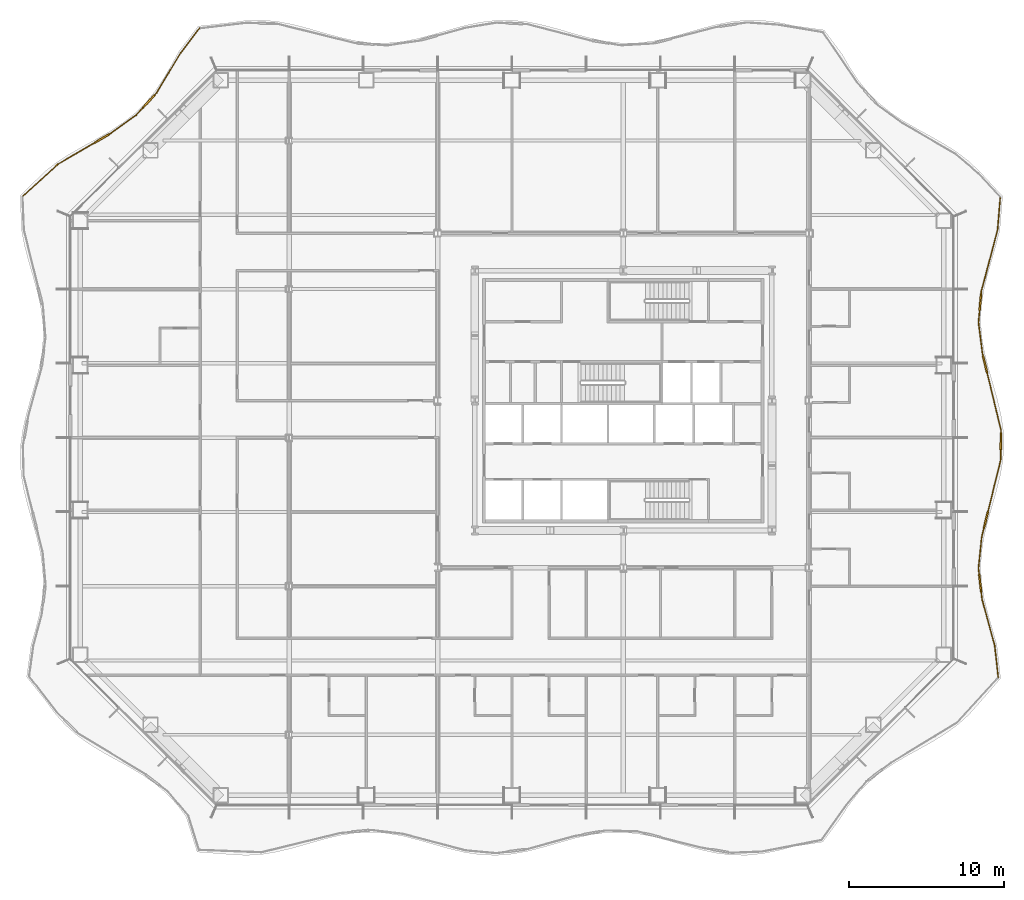
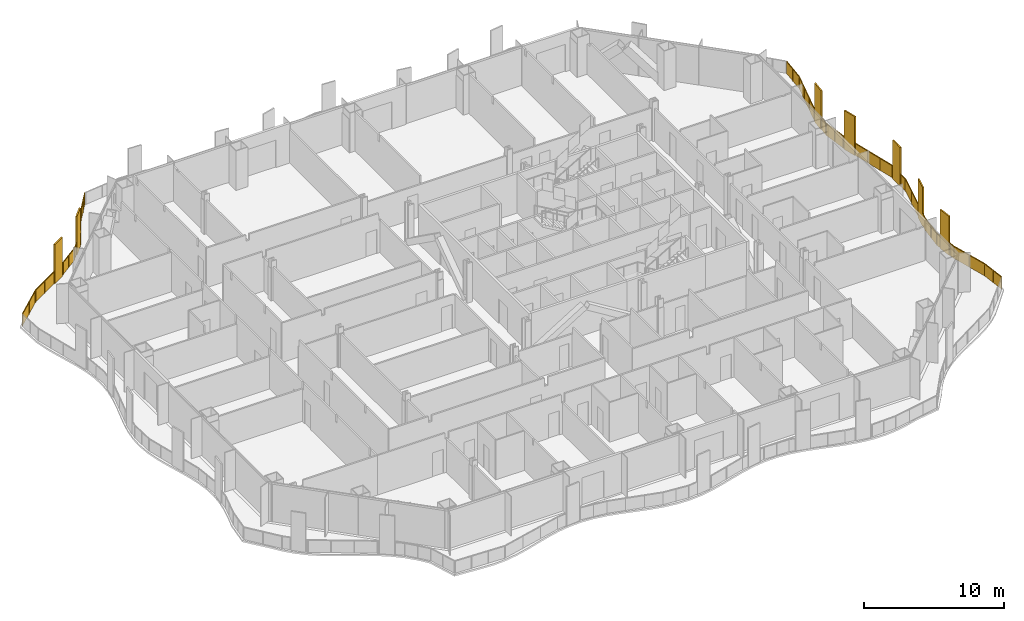
# One storey, part 19 of 21: 2 railings.
"""IFC4 building model written with IfcOpenShell, lengths in metres."""

from ifc_helpers import new_model, si_unit, direction, frame, origin, origin_2d, place, context, subcontext, project, spatial, polyline, rectangle, outline, extrude, material, type_object, element, save


model = new_model("IFC4")

# Units and contexts
model_context = context("Model", 3, precision=1e-05, world=origin(), true_north=direction((0.0, 1.0)))
body_context = subcontext(model_context, "Body", "Model", "MODEL_VIEW")
ifc_project = project(units=[si_unit("LENGTHUNIT", "METRE"), si_unit("AREAUNIT", "SQUARE_METRE"), si_unit("VOLUMEUNIT", "CUBIC_METRE"), si_unit("PLANEANGLEUNIT", "RADIAN"), si_unit("MASSUNIT", "GRAM", prefix="KILO")], contexts=[model_context])

# Site, building, storey
site_placement = place(None, origin())
site = spatial("IfcSite", under=ifc_project, at=site_placement, CompositionType="ELEMENT")
building_placement = place(site_placement, origin())
building = spatial("IfcBuilding", under=site, at=building_placement, Name="Cairn Pilgrim Tower", CompositionType="ELEMENT")
storey_placement = place(building_placement, frame((0.0, 0.0, 47.39990234375)))
storey = spatial("IfcBuildingStorey", under=building, at=storey_placement, Name="L09", CompositionType="ELEMENT", Elevation=47.39990234375)

# Railings
ifc_material = material(Name="Bronze anodised aluminium rail, posts and fin screens with laminated glass infill", Category="aluminium")
railing_type = type_object("IfcRailingType", Name="BALCONY GUARD WITH FIN SCREENS", PredefinedType="GUARDRAIL", material=ifc_material)
railing_1_placement = place(storey_placement, frame((31.428466796875, -15.502197265625, 0.0)))
element("IfcRailing", 1, at=railing_1_placement, inside=storey, type_object=railing_type, Name="Balcony guard BGF-3 with fin screens", PredefinedType="GUARDRAIL", context=body_context, shape_type="SweptSolid", body=[
    extrude(rectangle(XDim=0.050048828125, YDim=0.050048828125, at=origin_2d()), frame((0.0, 0.0, 1.0751953125), z_axis=(-0.111049944027, 0.993814826782, 0.0), x_axis=(-0.993814826782, -0.111049944027, 0.0)), (0.0, 0.0, 1.0), 2.079833984375),
    extrude(rectangle(XDim=0.050048828125, YDim=0.050048828125, at=origin_2d()), frame((-0.23095703125, 2.06689453125, 1.0751953125), z_axis=(-0.263772809644, 0.964584835508, 0.0), x_axis=(-0.964584835508, -0.263772809644, 0.0)), (0.0, 0.0, 1.0), 3.088623046875),
    extrude(rectangle(XDim=1.10009765625, YDim=0.110107421875, at=origin_2d()), frame((-1.16796875, 6.1005859375, 0.0), z_axis=(0.0, 0.0, 1.0), x_axis=(-0.115136074328, 0.993349729143, 0.0)), (0.0, 0.0, 1.0), 3.39990234375),
    extrude(rectangle(XDim=0.050048828125, YDim=0.050048828125, at=origin_2d()), frame((-1.045654296875, 5.046142578125, 1.0751953125), z_axis=(-0.115136074328, 0.993349729143, 0.0), x_axis=(-0.993349729143, -0.115136074328, 0.0)), (0.0, 0.0, 1.0), 0.511474609375),
    extrude(rectangle(XDim=0.050048828125, YDim=0.050048828125, at=origin_2d()), frame((-1.231201171875, 6.64697265625, 1.0751953125), z_axis=(-0.115136074328, 0.993349729143, 0.0), x_axis=(-0.993349729143, -0.115136074328, 0.0)), (0.0, 0.0, 1.0), 0.41552734375),
    extrude(rectangle(XDim=0.050048828125, YDim=0.050048828125, at=origin_2d()), frame((-1.279052734375, 7.059814453125, 1.0751953125), z_axis=(0.101832926503, 0.994801515419, 0.0), x_axis=(-0.994801515419, 0.101832926503, 0.0)), (0.0, 0.0, 1.0), 2.0234375),
    extrude(rectangle(XDim=1.10009765625, YDim=0.110107421875, at=origin_2d()), frame((-0.797607421875, 10.188720703125, 0.0), z_axis=(0.0, 0.0, 1.0), x_axis=(0.239700526098, 0.970846876592, 0.0)), (0.0, 0.0, 1.0), 3.39990234375),
    extrude(rectangle(XDim=0.050048828125, YDim=0.050048828125, at=origin_2d()), frame((-1.072998046875, 9.07275390625, 1.0751953125), z_axis=(0.239700526098, 0.970846876592, 0.0), x_axis=(-0.970846876592, 0.239700526098, 0.0)), (0.0, 0.0, 1.0), 0.599365234375),
    extrude(rectangle(XDim=0.050048828125, YDim=0.050048828125, at=origin_2d()), frame((-0.665771484375, 10.72265625, 1.0751953125), z_axis=(0.239700526098, 0.970846876592, 0.0), x_axis=(-0.970846876592, 0.239700526098, 0.0)), (0.0, 0.0, 1.0), 3.408447265625),
    extrude(rectangle(XDim=1.10009765625, YDim=0.110107421875, at=origin_2d()), frame((0.168212890625, 15.281982421875, 0.0), z_axis=(0.0, 0.0, 1.0), x_axis=(0.01351904485, 0.999908613537, 0.0)), (0.0, 0.0, 1.0), 3.39990234375),
    extrude(rectangle(XDim=0.050048828125, YDim=0.050048828125, at=origin_2d()), frame((0.1513671875, 14.03173828125, 1.0751953125), z_axis=(0.01351904485, 0.999908613537, 0.0), x_axis=(-0.999908613537, 0.01351904485, 0.0)), (0.0, 0.0, 1.0), 0.700439453125),
    extrude(rectangle(XDim=0.050048828125, YDim=0.050048828125, at=origin_2d()), frame((0.17578125, 15.83203125, 1.0751953125), z_axis=(0.01351904485, 0.999908613537, 0.0), x_axis=(-0.999908613537, 0.01351904485, 0.0)), (0.0, 0.0, 1.0), 0.14990234375),
    extrude(rectangle(XDim=1.10009765625, YDim=0.110107421875, at=origin_2d()), frame((-0.857177734375, 20.2568359375, 0.0), z_axis=(0.0, 0.0, 1.0), x_axis=(-0.235317676432, 0.971918510555, 0.0)), (0.0, 0.0, 1.0), 3.39990234375),
    extrude(rectangle(XDim=0.050048828125, YDim=0.050048828125, at=origin_2d()), frame((0.177734375, 15.98193359375, 1.0751953125), z_axis=(-0.235317676432, 0.971918510555, 0.0), x_axis=(-0.971918510555, -0.235317676432, 0.0)), (0.0, 0.0, 1.0), 3.848388671875),
    extrude(rectangle(XDim=0.050048828125, YDim=0.050048828125, at=origin_2d()), frame((-0.98681640625, 20.79150390625, 1.0751953125), z_axis=(-0.235317676432, 0.971918510555, 0.0), x_axis=(-0.971918510555, -0.235317676432, 0.0)), (0.0, 0.0, 1.0), 0.14990234375),
    extrude(rectangle(XDim=0.050048828125, YDim=0.050048828125, at=origin_2d()), frame((-1.02197265625, 20.93701171875, 1.0751953125), z_axis=(-0.126109888678, 0.992016278081, 0.0), x_axis=(-0.992016278081, -0.126109888678, 0.0)), (0.0, 0.0, 1.0), 2.02685546875),
    extrude(rectangle(XDim=1.10009765625, YDim=0.110107421875, at=origin_2d()), frame((-1.158203125, 24.265869140625, 0.0), z_axis=(0.0, 0.0, 1.0), x_axis=(0.09025288619, 0.995918880499, 0.0)), (0.0, 0.0, 1.0), 3.39990234375),
    extrude(rectangle(XDim=0.050048828125, YDim=0.050048828125, at=origin_2d()), frame((-1.277587890625, 22.94775390625, 1.0751953125), z_axis=(0.09025288619, 0.995918880499, 0.0), x_axis=(-0.995918880499, 0.09025288619, 0.0)), (0.0, 0.0, 1.0), 0.7734375),
    extrude(rectangle(XDim=0.050048828125, YDim=0.050048828125, at=origin_2d()), frame((-1.1083984375, 24.8134765625, 1.0751953125), z_axis=(0.09025288619, 0.995918880499, 0.0), x_axis=(-0.995918880499, 0.09025288619, 0.0)), (0.0, 0.0, 1.0), 0.14990234375),
    extrude(rectangle(XDim=0.050048828125, YDim=0.050048828125, at=origin_2d()), frame((-1.094970703125, 24.962890625, 1.0751953125), z_axis=(0.255935025684, 0.966693986031, 0.0), x_axis=(-0.966693986031, 0.255935025684, 0.0)), (0.0, 0.0, 1.0), 4.1083984375),
    extrude(rectangle(XDim=0.050048828125, YDim=0.050048828125, at=origin_2d()), frame((-0.04345703125, 28.9345703125, 1.0751953125), z_axis=(0.082254366327, 0.996611368197, 0.0), x_axis=(-0.996611368197, 0.082254366327, 0.0)), (0.0, 0.0, 1.0), 2.06884765625),
    extrude(rectangle(XDim=0.050048828125, YDim=0.050048828125, at=origin_2d()), origin(), (0.0, 0.0, 1.0), 1.050048828125),
    extrude(rectangle(XDim=0.050048828125, YDim=0.050048828125, at=origin_2d()), frame((-0.115478515625, 1.033447265625, 0.0)), (0.0, 0.0, 1.0), 1.050048828125),
    extrude(rectangle(XDim=0.050048828125, YDim=0.050048828125, at=origin_2d()), frame((-0.23095703125, 2.06689453125, 0.0)), (0.0, 0.0, 1.0), 1.050048828125),
    extrude(rectangle(XDim=0.050048828125, YDim=0.050048828125, at=origin_2d()), frame((-0.63818359375, 3.556640625, 0.0)), (0.0, 0.0, 1.0), 1.050048828125),
    extrude(rectangle(XDim=0.050048828125, YDim=0.050048828125, at=origin_2d()), frame((-1.045654296875, 5.046142578125, 0.0)), (0.0, 0.0, 1.0), 1.050048828125),
    extrude(rectangle(XDim=0.050048828125, YDim=0.050048828125, at=origin_2d()), frame((-1.1015625, 5.529296875, 0.0)), (0.0, 0.0, 1.0), 1.050048828125),
    extrude(rectangle(XDim=0.050048828125, YDim=0.050048828125, at=origin_2d()), frame((-1.234130859375, 6.671875, 0.0)), (0.0, 0.0, 1.0), 1.050048828125),
    extrude(rectangle(XDim=0.050048828125, YDim=0.050048828125, at=origin_2d()), frame((-1.279052734375, 7.059814453125, 0.0)), (0.0, 0.0, 1.0), 1.050048828125),
    extrude(rectangle(XDim=0.050048828125, YDim=0.050048828125, at=origin_2d()), frame((-1.176025390625, 8.06640625, 0.0)), (0.0, 0.0, 1.0), 1.050048828125),
    extrude(rectangle(XDim=0.050048828125, YDim=0.050048828125, at=origin_2d()), frame((-1.072998046875, 9.07275390625, 0.0)), (0.0, 0.0, 1.0), 1.050048828125),
    extrude(rectangle(XDim=0.050048828125, YDim=0.050048828125, at=origin_2d()), frame((-0.935302734375, 9.63037109375, 0.0)), (0.0, 0.0, 1.0), 1.050048828125),
    extrude(rectangle(XDim=0.050048828125, YDim=0.050048828125, at=origin_2d()), frame((-0.65966796875, 10.746826171875, 0.0)), (0.0, 0.0, 1.0), 1.050048828125),
    extrude(rectangle(XDim=0.050048828125, YDim=0.050048828125, at=origin_2d()), frame((-0.254150390625, 12.389404296875, 0.0)), (0.0, 0.0, 1.0), 1.050048828125),
    extrude(rectangle(XDim=0.050048828125, YDim=0.050048828125, at=origin_2d()), frame((0.1513671875, 14.03173828125, 0.0)), (0.0, 0.0, 1.0), 1.050048828125),
    extrude(rectangle(XDim=0.050048828125, YDim=0.050048828125, at=origin_2d()), frame((0.160400390625, 14.70703125, 0.0)), (0.0, 0.0, 1.0), 1.050048828125),
    extrude(rectangle(XDim=0.050048828125, YDim=0.050048828125, at=origin_2d()), frame((0.176025390625, 15.85693359375, 0.0)), (0.0, 0.0, 1.0), 1.050048828125),
    extrude(rectangle(XDim=0.050048828125, YDim=0.050048828125, at=origin_2d()), frame((0.177734375, 15.98193359375, 0.0)), (0.0, 0.0, 1.0), 1.050048828125),
    extrude(rectangle(XDim=0.050048828125, YDim=0.050048828125, at=origin_2d()), frame((-0.1220703125, 17.220703125, 0.0)), (0.0, 0.0, 1.0), 1.050048828125),
    extrude(rectangle(XDim=0.050048828125, YDim=0.050048828125, at=origin_2d()), frame((-0.422119140625, 18.459228515625, 0.0)), (0.0, 0.0, 1.0), 1.050048828125),
    extrude(rectangle(XDim=0.050048828125, YDim=0.050048828125, at=origin_2d()), frame((-0.721923828125, 19.697998046875, 0.0)), (0.0, 0.0, 1.0), 1.050048828125),
    extrude(rectangle(XDim=0.050048828125, YDim=0.050048828125, at=origin_2d()), frame((-0.99267578125, 20.815673828125, 0.0)), (0.0, 0.0, 1.0), 1.050048828125),
    extrude(rectangle(XDim=0.050048828125, YDim=0.050048828125, at=origin_2d()), frame((-1.02197265625, 20.93701171875, 0.0)), (0.0, 0.0, 1.0), 1.050048828125),
    extrude(rectangle(XDim=0.050048828125, YDim=0.050048828125, at=origin_2d()), frame((-1.14990234375, 21.9423828125, 0.0)), (0.0, 0.0, 1.0), 1.050048828125),
    extrude(rectangle(XDim=0.050048828125, YDim=0.050048828125, at=origin_2d()), frame((-1.277587890625, 22.94775390625, 0.0)), (0.0, 0.0, 1.0), 1.050048828125),
    extrude(rectangle(XDim=0.050048828125, YDim=0.050048828125, at=origin_2d()), frame((-1.2099609375, 23.693115234375, 0.0)), (0.0, 0.0, 1.0), 1.050048828125),
    extrude(rectangle(XDim=0.050048828125, YDim=0.050048828125, at=origin_2d()), frame((-1.106201171875, 24.83837890625, 0.0)), (0.0, 0.0, 1.0), 1.050048828125),
    extrude(rectangle(XDim=0.050048828125, YDim=0.050048828125, at=origin_2d()), frame((-1.094970703125, 24.962890625, 0.0)), (0.0, 0.0, 1.0), 1.050048828125),
    extrude(rectangle(XDim=0.050048828125, YDim=0.050048828125, at=origin_2d()), frame((-0.744384765625, 26.286865234375, 0.0)), (0.0, 0.0, 1.0), 1.050048828125),
    extrude(rectangle(XDim=0.050048828125, YDim=0.050048828125, at=origin_2d()), frame((-0.39404296875, 27.610595703125, 0.0)), (0.0, 0.0, 1.0), 1.050048828125),
    extrude(rectangle(XDim=0.050048828125, YDim=0.050048828125, at=origin_2d()), frame((-0.04345703125, 28.9345703125, 0.0)), (0.0, 0.0, 1.0), 1.050048828125),
    extrude(rectangle(XDim=0.050048828125, YDim=0.050048828125, at=origin_2d()), frame((0.04150390625, 29.96533203125, 0.0)), (0.0, 0.0, 1.0), 1.050048828125),
    extrude(rectangle(XDim=0.050048828125, YDim=0.050048828125, at=origin_2d()), frame((0.126708984375, 30.996337890625, 0.0)), (0.0, 0.0, 1.0), 1.050048828125),
    extrude(outline(polyline([(0.02490234375, 0.0), (1.014892578125, 0.0), (1.014892578125, 1.050048828125), (0.02490234375, 1.050048828125), (0.02490234375, 0.0)])), frame((-0.005859375, -0.000732421875, 0.0), z_axis=(0.993814826782, 0.111049944027, 0.0), x_axis=(-0.111049944027, 0.993814826782, 0.0)), (0.0, 0.0, 1.0), 0.011962890625),
    extrude(outline(polyline([(0.02490234375, 0.0), (1.014892578125, 0.0), (1.014892578125, 1.050048828125), (0.02490234375, 1.050048828125), (0.02490234375, 0.0)])), frame((-0.121337890625, 1.03271484375, 0.0), z_axis=(0.993814826782, 0.111049944027, 0.0), x_axis=(-0.111049944027, 0.993814826782, 0.0)), (0.0, 0.0, 1.0), 0.011962890625),
    extrude(outline(polyline([(0.02490234375, 0.0), (1.519287109375, 0.0), (1.519287109375, 1.050048828125), (0.02490234375, 1.050048828125), (0.02490234375, 0.0)])), frame((-0.23681640625, 2.0654296875, 0.0), z_axis=(0.964584835508, 0.263772809644, 0.0), x_axis=(-0.263772809644, 0.964584835508, 0.0)), (0.0, 0.0, 1.0), 0.011962890625),
    extrude(outline(polyline([(0.02490234375, 0.0), (1.519287109375, 0.0), (1.519287109375, 1.050048828125), (0.02490234375, 1.050048828125), (0.02490234375, 0.0)])), frame((-0.64404296875, 3.554931640625, 0.0), z_axis=(0.964584835508, 0.263772809644, 0.0), x_axis=(-0.263772809644, 0.964584835508, 0.0)), (0.0, 0.0, 1.0), 0.011962890625),
    extrude(outline(polyline([(0.02490234375, 0.0), (0.46142578125, 0.0), (0.46142578125, 1.050048828125), (0.02490234375, 1.050048828125), (0.02490234375, 0.0)])), frame((-1.051513671875, 5.04541015625, 0.0), z_axis=(0.993349729143, 0.115136074328, 0.0), x_axis=(-0.115136074328, 0.993349729143, 0.0)), (0.0, 0.0, 1.0), 0.011962890625),
    extrude(outline(polyline([(0.02490234375, 0.0), (0.365478515625, 0.0), (0.365478515625, 1.050048828125), (0.02490234375, 1.050048828125), (0.02490234375, 0.0)])), frame((-1.239990234375, 6.671142578125, 0.0), z_axis=(0.993349729143, 0.115136074328, 0.0), x_axis=(-0.115136074328, 0.993349729143, 0.0)), (0.0, 0.0, 1.0), 0.011962890625),
    extrude(outline(polyline([(0.02490234375, 0.0), (0.98681640625, 0.0), (0.98681640625, 1.050048828125), (0.02490234375, 1.050048828125), (0.02490234375, 0.0)])), frame((-1.284912109375, 7.060302734375, 0.0), z_axis=(0.994801515419, -0.101832926503, 0.0), x_axis=(0.101832926503, 0.994801515419, 0.0)), (0.0, 0.0, 1.0), 0.011962890625),
    extrude(outline(polyline([(0.02490234375, 0.0), (0.98681640625, 0.0), (0.98681640625, 1.050048828125), (0.02490234375, 1.050048828125), (0.02490234375, 0.0)])), frame((-1.181884765625, 8.06689453125, 0.0), z_axis=(0.994801515419, -0.101832926503, 0.0), x_axis=(0.101832926503, 0.994801515419, 0.0)), (0.0, 0.0, 1.0), 0.011962890625),
    extrude(outline(polyline([(0.02490234375, 0.0), (0.54931640625, 0.0), (0.54931640625, 1.050048828125), (0.02490234375, 1.050048828125), (0.02490234375, 0.0)])), frame((-1.078857421875, 9.07421875, 0.0), z_axis=(0.970846876592, -0.239700526098, 0.0), x_axis=(0.239700526098, 0.970846876592, 0.0)), (0.0, 0.0, 1.0), 0.011962890625),
    extrude(outline(polyline([(0.02490234375, 0.0), (1.666748046875, 0.0), (1.666748046875, 1.050048828125), (0.02490234375, 1.050048828125), (0.02490234375, 0.0)])), frame((-0.66552734375, 10.748291015625, 0.0), z_axis=(0.970846876592, -0.239700526098, 0.0), x_axis=(0.239700526098, 0.970846876592, 0.0)), (0.0, 0.0, 1.0), 0.011962890625),
    extrude(outline(polyline([(0.02490234375, 0.0), (1.666748046875, 0.0), (1.666748046875, 1.050048828125), (0.02490234375, 1.050048828125), (0.02490234375, 0.0)])), frame((-0.260009765625, 12.390869140625, 0.0), z_axis=(0.970846876592, -0.239700526098, 0.0), x_axis=(0.239700526098, 0.970846876592, 0.0)), (0.0, 0.0, 1.0), 0.011962890625),
    extrude(outline(polyline([(0.02490234375, 0.0), (0.650390625, 0.0), (0.650390625, 1.050048828125), (0.02490234375, 1.050048828125), (0.02490234375, 0.0)])), frame((0.1455078125, 14.03173828125, 0.0), z_axis=(0.999908613537, -0.01351904485, 0.0), x_axis=(0.01351904485, 0.999908613537, 0.0)), (0.0, 0.0, 1.0), 0.011962890625),
    extrude(outline(polyline([(0.02490234375, 0.0), (0.099853515625, 0.0), (0.099853515625, 1.050048828125), (0.02490234375, 1.050048828125), (0.02490234375, 0.0)])), frame((0.170166015625, 15.857177734375, 0.0), z_axis=(0.999908613537, -0.01351904485, 0.0), x_axis=(0.01351904485, 0.999908613537, 0.0)), (0.0, 0.0, 1.0), 0.011962890625),
    extrude(outline(polyline([(0.02490234375, 0.0), (1.24951171875, 0.0), (1.24951171875, 1.050048828125), (0.02490234375, 1.050048828125), (0.02490234375, 0.0)])), frame((0.171875, 15.98046875, 0.0), z_axis=(0.971918510555, 0.235317676432, 0.0), x_axis=(-0.235317676432, 0.971918510555, 0.0)), (0.0, 0.0, 1.0), 0.011962890625),
    extrude(outline(polyline([(0.02490234375, 0.0), (1.24951171875, 0.0), (1.24951171875, 1.050048828125), (0.02490234375, 1.050048828125), (0.02490234375, 0.0)])), frame((-0.1279296875, 17.21923828125, 0.0), z_axis=(0.971918510555, 0.235317676432, 0.0), x_axis=(-0.235317676432, 0.971918510555, 0.0)), (0.0, 0.0, 1.0), 0.011962890625),
    extrude(outline(polyline([(0.02490234375, 0.0), (1.24951171875, 0.0), (1.24951171875, 1.050048828125), (0.02490234375, 1.050048828125), (0.02490234375, 0.0)])), frame((-0.427978515625, 18.457763671875, 0.0), z_axis=(0.971918510555, 0.235317676432, 0.0), x_axis=(-0.235317676432, 0.971918510555, 0.0)), (0.0, 0.0, 1.0), 0.011962890625),
    extrude(outline(polyline([(0.02490234375, 0.0), (0.099853515625, 0.0), (0.099853515625, 1.050048828125), (0.02490234375, 1.050048828125), (0.02490234375, 0.0)])), frame((-0.99853515625, 20.814208984375, 0.0), z_axis=(0.971918510555, 0.235317676432, 0.0), x_axis=(-0.235317676432, 0.971918510555, 0.0)), (0.0, 0.0, 1.0), 0.011962890625),
    extrude(outline(polyline([(0.02490234375, 0.0), (0.988525390625, 0.0), (0.988525390625, 1.050048828125), (0.02490234375, 1.050048828125), (0.02490234375, 0.0)])), frame((-1.02783203125, 20.936279296875, 0.0), z_axis=(0.992016278081, 0.126109888678, 0.0), x_axis=(-0.126109888678, 0.992016278081, 0.0)), (0.0, 0.0, 1.0), 0.011962890625),
    extrude(outline(polyline([(0.02490234375, 0.0), (0.988525390625, 0.0), (0.988525390625, 1.050048828125), (0.02490234375, 1.050048828125), (0.02490234375, 0.0)])), frame((-1.15576171875, 21.941650390625, 0.0), z_axis=(0.992016278081, 0.126109888678, 0.0), x_axis=(-0.126109888678, 0.992016278081, 0.0)), (0.0, 0.0, 1.0), 0.011962890625),
    extrude(outline(polyline([(0.02490234375, 0.0), (0.723388671875, 0.0), (0.723388671875, 1.050048828125), (0.02490234375, 1.050048828125), (0.02490234375, 0.0)])), frame((-1.283447265625, 22.9482421875, 0.0), z_axis=(0.995918880499, -0.09025288619, 0.0), x_axis=(0.09025288619, 0.995918880499, 0.0)), (0.0, 0.0, 1.0), 0.011962890625),
    extrude(outline(polyline([(0.02490234375, 0.0), (0.099853515625, 0.0), (0.099853515625, 1.050048828125), (0.02490234375, 1.050048828125), (0.02490234375, 0.0)])), frame((-1.1123046875, 24.839111328125, 0.0), z_axis=(0.995918880499, -0.09025288619, 0.0), x_axis=(0.09025288619, 0.995918880499, 0.0)), (0.0, 0.0, 1.0), 0.011962890625),
    extrude(outline(polyline([(0.02490234375, 0.0), (1.344482421875, 0.0), (1.344482421875, 1.050048828125), (0.02490234375, 1.050048828125), (0.02490234375, 0.0)])), frame((-1.100830078125, 24.96435546875, 0.0), z_axis=(0.966693986031, -0.255935025684, 0.0), x_axis=(0.255935025684, 0.966693986031, 0.0)), (0.0, 0.0, 1.0), 0.011962890625),
    extrude(outline(polyline([(0.02490234375, 0.0), (1.344482421875, 0.0), (1.344482421875, 1.050048828125), (0.02490234375, 1.050048828125), (0.02490234375, 0.0)])), frame((-0.750244140625, 26.288330078125, 0.0), z_axis=(0.966693986031, -0.255935025684, 0.0), x_axis=(0.255935025684, 0.966693986031, 0.0)), (0.0, 0.0, 1.0), 0.011962890625),
    extrude(outline(polyline([(0.02490234375, 0.0), (1.344482421875, 0.0), (1.344482421875, 1.050048828125), (0.02490234375, 1.050048828125), (0.02490234375, 0.0)])), frame((-0.399658203125, 27.6123046875, 0.0), z_axis=(0.966693986031, -0.255935025684, 0.0), x_axis=(0.255935025684, 0.966693986031, 0.0)), (0.0, 0.0, 1.0), 0.011962890625),
    extrude(outline(polyline([(0.02490234375, 0.0), (1.00927734375, 0.0), (1.00927734375, 1.050048828125), (0.02490234375, 1.050048828125), (0.02490234375, 0.0)])), frame((-0.04931640625, 28.93505859375, 0.0), z_axis=(0.996611368197, -0.082254366327, 0.0), x_axis=(0.082254366327, 0.996611368197, 0.0)), (0.0, 0.0, 1.0), 0.011962890625),
    extrude(outline(polyline([(0.02490234375, 0.0), (1.00927734375, 0.0), (1.00927734375, 1.050048828125), (0.02490234375, 1.050048828125), (0.02490234375, 0.0)])), frame((0.03564453125, 29.966064453125, 0.0), z_axis=(0.996611368197, -0.082254366327, 0.0), x_axis=(0.082254366327, 0.996611368197, 0.0)), (0.0, 0.0, 1.0), 0.011962890625),
])
railing_2_placement = place(storey_placement, frame((-20.197509765625, 26.461181640625, 0.0)))
element("IfcRailing", 2, at=railing_2_placement, inside=storey, type_object=railing_type, Name="Balcony guard BGF-6 with fin screens", PredefinedType="GUARDRAIL", context=body_context, shape_type="SweptSolid", body=[
    extrude(rectangle(XDim=0.050048828125, YDim=0.050048828125, at=origin_2d()), frame((0.0, 0.0, 1.0751953125), z_axis=(-0.608177028615, -0.793801424706, 0.0), x_axis=(0.793801424706, -0.608177028615, 0.0)), (0.0, 0.0, 1.0), 1.993896484375),
    extrude(rectangle(XDim=0.050048828125, YDim=0.050048828125, at=origin_2d()), frame((-1.212646484375, -1.582763671875, 1.0751953125), z_axis=(-0.51487805485, -0.857263430128, 0.0), x_axis=(0.857263430128, -0.51487805485, 0.0)), (0.0, 0.0, 1.0), 3.0048828125),
    extrude(rectangle(XDim=1.10009765625, YDim=0.110107421875, at=origin_2d()), frame((-3.28515625, -4.7333984375, 0.0), z_axis=(0.0, 0.0, 1.0), x_axis=(-0.674771125998, -0.738027050669, 0.0)), (0.0, 0.0, 1.0), 3.39990234375),
    extrude(rectangle(XDim=0.050048828125, YDim=0.050048828125, at=origin_2d()), frame((-2.759765625, -4.15869140625, 1.0751953125), z_axis=(-0.674771125998, -0.738027050669, 0.0), x_axis=(0.738027050669, -0.674771125998, 0.0)), (0.0, 0.0, 1.0), 0.228515625),
    extrude(rectangle(XDim=0.050048828125, YDim=0.050048828125, at=origin_2d()), frame((-3.65625, -5.13916015625, 1.0751953125), z_axis=(-0.674771125998, -0.738027050669, 0.0), x_axis=(0.738027050669, -0.674771125998, 0.0)), (0.0, 0.0, 1.0), 0.6435546875),
    extrude(rectangle(XDim=0.050048828125, YDim=0.050048828125, at=origin_2d()), frame((-4.090576171875, -5.6142578125, 1.0751953125), z_axis=(-0.811937150845, -0.583744861286, 0.0), x_axis=(0.583744861286, -0.811937150845, 0.0)), (0.0, 0.0, 1.0), 1.98779296875),
    extrude(rectangle(XDim=1.10009765625, YDim=0.110107421875, at=origin_2d()), frame((-6.30908203125, -7.127685546875, 0.0), z_axis=(0.0, 0.0, 1.0), x_axis=(-0.863568616726, -0.504231339968, 0.0)), (0.0, 0.0, 1.0), 3.39990234375),
    extrude(rectangle(XDim=0.050048828125, YDim=0.050048828125, at=origin_2d()), frame((-5.70458984375, -6.774658203125, 1.0751953125), z_axis=(-0.863568616726, -0.504231339968, 0.0), x_axis=(0.504231339968, -0.863568616726, 0.0)), (0.0, 0.0, 1.0), 0.150146484375),
    extrude(rectangle(XDim=0.050048828125, YDim=0.050048828125, at=origin_2d()), frame((-6.7841796875, -7.405029296875, 1.0751953125), z_axis=(-0.863568616726, -0.504231339968, 0.0), x_axis=(0.504231339968, -0.863568616726, 0.0)), (0.0, 0.0, 1.0), 2.751708984375),
    extrude(rectangle(XDim=0.050048828125, YDim=0.050048828125, at=origin_2d()), frame((-9.160400390625, -8.79248046875, 1.0751953125), z_axis=(-0.737267599935, -0.675600833397, 0.0), x_axis=(0.675600833397, -0.737267599935, 0.0)), (0.0, 0.0, 1.0), 3.03662109375),
    extrude(rectangle(XDim=0.050048828125, YDim=0.050048828125, at=origin_2d()), origin(), (0.0, 0.0, 1.0), 1.050048828125),
    extrude(rectangle(XDim=0.050048828125, YDim=0.050048828125, at=origin_2d()), frame((-0.6064453125, -0.79150390625, 0.0)), (0.0, 0.0, 1.0), 1.050048828125),
    extrude(rectangle(XDim=0.050048828125, YDim=0.050048828125, at=origin_2d()), frame((-1.212646484375, -1.582763671875, 0.0)), (0.0, 0.0, 1.0), 1.050048828125),
    extrude(rectangle(XDim=0.050048828125, YDim=0.050048828125, at=origin_2d()), frame((-1.986328125, -2.87060546875, 0.0)), (0.0, 0.0, 1.0), 1.050048828125),
    extrude(rectangle(XDim=0.050048828125, YDim=0.050048828125, at=origin_2d()), frame((-2.759765625, -4.15869140625, 0.0)), (0.0, 0.0, 1.0), 1.050048828125),
    extrude(rectangle(XDim=0.050048828125, YDim=0.050048828125, at=origin_2d()), frame((-2.897216796875, -4.308837890625, 0.0)), (0.0, 0.0, 1.0), 1.050048828125),
    extrude(rectangle(XDim=0.050048828125, YDim=0.050048828125, at=origin_2d()), frame((-3.673095703125, -5.15771484375, 0.0)), (0.0, 0.0, 1.0), 1.050048828125),
    extrude(rectangle(XDim=0.050048828125, YDim=0.050048828125, at=origin_2d()), frame((-4.090576171875, -5.6142578125, 0.0)), (0.0, 0.0, 1.0), 1.050048828125),
    extrude(rectangle(XDim=0.050048828125, YDim=0.050048828125, at=origin_2d()), frame((-4.8974609375, -6.1943359375, 0.0)), (0.0, 0.0, 1.0), 1.050048828125),
    extrude(rectangle(XDim=0.050048828125, YDim=0.050048828125, at=origin_2d()), frame((-5.70458984375, -6.774658203125, 0.0)), (0.0, 0.0, 1.0), 1.050048828125),
    extrude(rectangle(XDim=0.050048828125, YDim=0.050048828125, at=origin_2d()), frame((-5.8125, -6.837646484375, 0.0)), (0.0, 0.0, 1.0), 1.050048828125),
    extrude(rectangle(XDim=0.050048828125, YDim=0.050048828125, at=origin_2d()), frame((-6.8056640625, -7.417724609375, 0.0)), (0.0, 0.0, 1.0), 1.050048828125),
    extrude(rectangle(XDim=0.050048828125, YDim=0.050048828125, at=origin_2d()), frame((-7.983154296875, -8.10498046875, 0.0)), (0.0, 0.0, 1.0), 1.050048828125),
    extrude(rectangle(XDim=0.050048828125, YDim=0.050048828125, at=origin_2d()), frame((-9.160400390625, -8.79248046875, 0.0)), (0.0, 0.0, 1.0), 1.050048828125),
    extrude(rectangle(XDim=0.050048828125, YDim=0.050048828125, at=origin_2d()), frame((-10.27978515625, -9.818359375, 0.0)), (0.0, 0.0, 1.0), 1.050048828125),
    extrude(rectangle(XDim=0.050048828125, YDim=0.050048828125, at=origin_2d()), frame((-11.399169921875, -10.843994140625, 0.0)), (0.0, 0.0, 1.0), 1.050048828125),
    extrude(outline(polyline([(0.02490234375, 0.0), (0.971923828125, 0.0), (0.971923828125, 1.050048828125), (0.02490234375, 1.050048828125), (0.02490234375, 0.0)])), frame((0.004638671875, -0.003662109375, 0.0), z_axis=(-0.793801424706, 0.608177028615, 0.0), x_axis=(-0.608177028615, -0.793801424706, 0.0)), (0.0, 0.0, 1.0), 0.011962890625),
    extrude(outline(polyline([(0.02490234375, 0.0), (0.971923828125, 0.0), (0.971923828125, 1.050048828125), (0.02490234375, 1.050048828125), (0.02490234375, 0.0)])), frame((-0.6015625, -0.794921875, 0.0), z_axis=(-0.793801424706, 0.608177028615, 0.0), x_axis=(-0.608177028615, -0.793801424706, 0.0)), (0.0, 0.0, 1.0), 0.011962890625),
    extrude(outline(polyline([(0.02490234375, 0.0), (1.477294921875, 0.0), (1.477294921875, 1.050048828125), (0.02490234375, 1.050048828125), (0.02490234375, 0.0)])), frame((-1.20751953125, -1.5859375, 0.0), z_axis=(-0.857263430128, 0.51487805485, 0.0), x_axis=(-0.51487805485, -0.857263430128, 0.0)), (0.0, 0.0, 1.0), 0.011962890625),
    extrude(outline(polyline([(0.02490234375, 0.0), (1.477294921875, 0.0), (1.477294921875, 1.050048828125), (0.02490234375, 1.050048828125), (0.02490234375, 0.0)])), frame((-1.98095703125, -2.873779296875, 0.0), z_axis=(-0.857263430128, 0.51487805485, 0.0), x_axis=(-0.51487805485, -0.857263430128, 0.0)), (0.0, 0.0, 1.0), 0.011962890625),
    extrude(outline(polyline([(0.02490234375, 0.0), (0.178466796875, 0.0), (0.178466796875, 1.050048828125), (0.02490234375, 1.050048828125), (0.02490234375, 0.0)])), frame((-2.75537109375, -4.162841796875, 0.0), z_axis=(-0.738027050669, 0.674771125998, 0.0), x_axis=(-0.674771125998, -0.738027050669, 0.0)), (0.0, 0.0, 1.0), 0.011962890625),
    extrude(outline(polyline([(0.02490234375, 0.0), (0.593505859375, 0.0), (0.593505859375, 1.050048828125), (0.02490234375, 1.050048828125), (0.02490234375, 0.0)])), frame((-3.668701171875, -5.16162109375, 0.0), z_axis=(-0.738027050669, 0.674771125998, 0.0), x_axis=(-0.674771125998, -0.738027050669, 0.0)), (0.0, 0.0, 1.0), 0.011962890625),
    extrude(outline(polyline([(0.02490234375, 0.0), (0.968994140625, 0.0), (0.968994140625, 1.050048828125), (0.02490234375, 1.050048828125), (0.02490234375, 0.0)])), frame((-4.087158203125, -5.619140625, 0.0), z_axis=(-0.583744861286, 0.811937150845, 0.0), x_axis=(-0.811937150845, -0.583744861286, 0.0)), (0.0, 0.0, 1.0), 0.011962890625),
    extrude(outline(polyline([(0.02490234375, 0.0), (0.968994140625, 0.0), (0.968994140625, 1.050048828125), (0.02490234375, 1.050048828125), (0.02490234375, 0.0)])), frame((-4.89404296875, -6.19921875, 0.0), z_axis=(-0.583744861286, 0.811937150845, 0.0), x_axis=(-0.811937150845, -0.583744861286, 0.0)), (0.0, 0.0, 1.0), 0.011962890625),
    extrude(outline(polyline([(0.02490234375, 0.0), (0.10009765625, 0.0), (0.10009765625, 1.050048828125), (0.02490234375, 1.050048828125), (0.02490234375, 0.0)])), frame((-5.70166015625, -6.77978515625, 0.0), z_axis=(-0.504231339968, 0.863568616726, 0.0), x_axis=(-0.863568616726, -0.504231339968, 0.0)), (0.0, 0.0, 1.0), 0.011962890625),
    extrude(outline(polyline([(0.02490234375, 0.0), (1.33837890625, 0.0), (1.33837890625, 1.050048828125), (0.02490234375, 1.050048828125), (0.02490234375, 0.0)])), frame((-6.802734375, -7.4228515625, 0.0), z_axis=(-0.504231339968, 0.863568616726, 0.0), x_axis=(-0.863568616726, -0.504231339968, 0.0)), (0.0, 0.0, 1.0), 0.011962890625),
    extrude(outline(polyline([(0.02490234375, 0.0), (1.33837890625, 0.0), (1.33837890625, 1.050048828125), (0.02490234375, 1.050048828125), (0.02490234375, 0.0)])), frame((-7.97998046875, -8.110107421875, 0.0), z_axis=(-0.504231339968, 0.863568616726, 0.0), x_axis=(-0.863568616726, -0.504231339968, 0.0)), (0.0, 0.0, 1.0), 0.011962890625),
    extrude(outline(polyline([(0.02490234375, 0.0), (1.4931640625, 0.0), (1.4931640625, 1.050048828125), (0.02490234375, 1.050048828125), (0.02490234375, 0.0)])), frame((-9.15625, -8.796875, 0.0), z_axis=(-0.675600833397, 0.737267599935, 0.0), x_axis=(-0.737267599935, -0.675600833397, 0.0)), (0.0, 0.0, 1.0), 0.011962890625),
    extrude(outline(polyline([(0.02490234375, 0.0), (1.4931640625, 0.0), (1.4931640625, 1.050048828125), (0.02490234375, 1.050048828125), (0.02490234375, 0.0)])), frame((-10.275634765625, -9.82275390625, 0.0), z_axis=(-0.675600833397, 0.737267599935, 0.0), x_axis=(-0.737267599935, -0.675600833397, 0.0)), (0.0, 0.0, 1.0), 0.011962890625),
])

save(model, "model.ifc")
